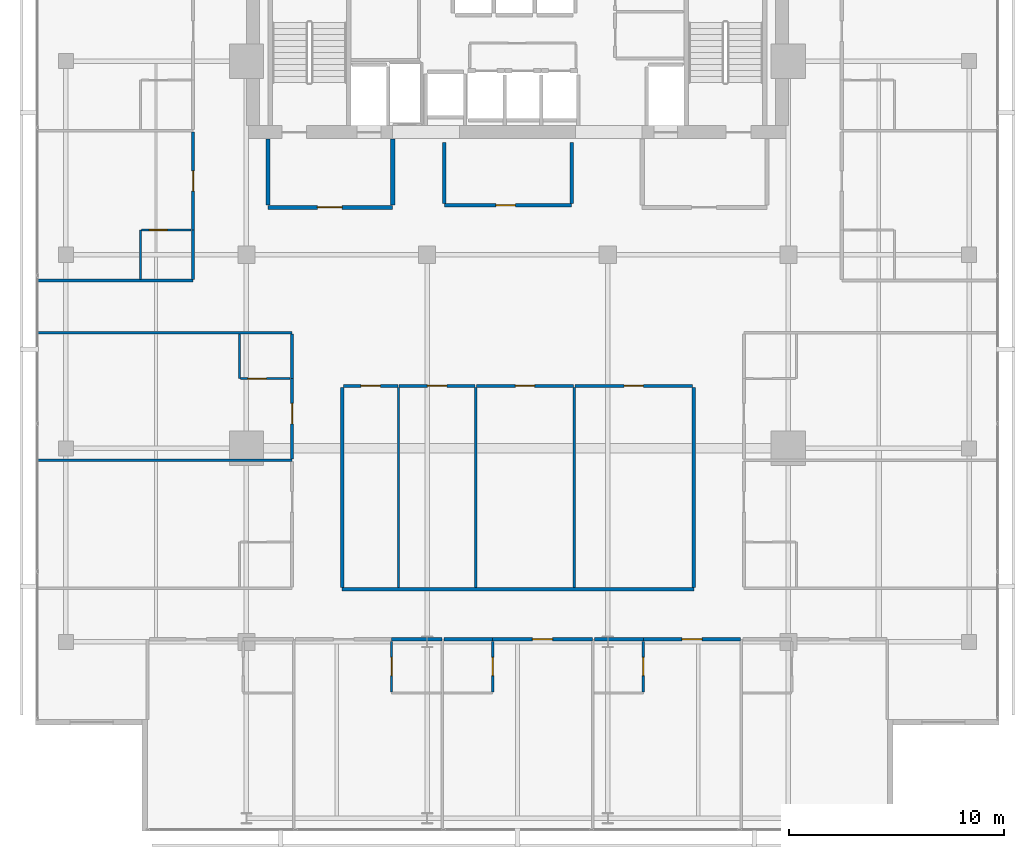
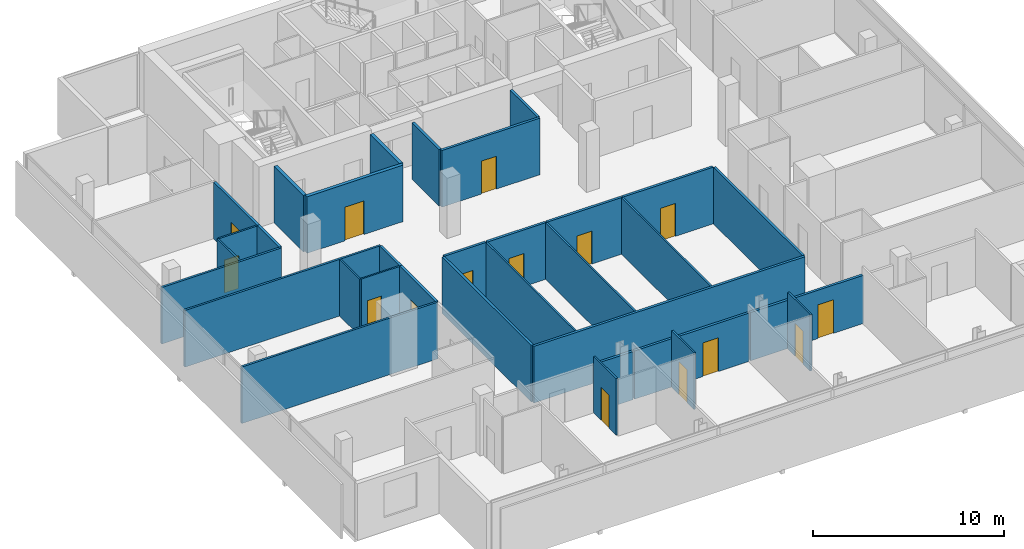
# One storey, part 20 of 25: 35 walls, 15 doors, 15 openings.
"""IFC4 building model written with IfcOpenShell, lengths in metres."""

from ifc_helpers import new_model, si_unit, direction, frame, frame_2d, origin, place, context, subcontext, project, spatial, rectangle, extrude, material, layer, layer_set, type_object, element, fill, save


model = new_model("IFC4")

# Units and contexts
model_context = context("Model", 3, precision=1e-05, world=origin(), true_north=direction((0.0, 1.0)))
body_context = subcontext(model_context, "Body", "Model", "MODEL_VIEW")
ifc_project = project(units=[si_unit("LENGTHUNIT", "METRE"), si_unit("AREAUNIT", "SQUARE_METRE"), si_unit("VOLUMEUNIT", "CUBIC_METRE"), si_unit("PLANEANGLEUNIT", "RADIAN"), si_unit("MASSUNIT", "GRAM", prefix="KILO")], contexts=[model_context])

# Site, building, storey
site_placement = place(None, origin())
site = spatial("IfcSite", under=ifc_project, at=site_placement, CompositionType="ELEMENT")
building_placement = place(site_placement, origin())
building = spatial("IfcBuilding", under=site, at=building_placement, Name="Maruvema Waterfront Hotel and Observation Tower", CompositionType="ELEMENT")
storey_placement = place(building_placement, frame((0.0, 0.0, 270.199951171875)))
storey = spatial("IfcBuildingStorey", under=building, at=storey_placement, Name="L66", CompositionType="ELEMENT", Elevation=270.199951171875)

# Wall, opening, door
ifc_material_1 = material(Name="Twin-stud acoustic gypsum drywall", Category="gypsum")
ifc_layer_1 = layer(ifc_material_1, 0.14990234375, Name="Acoustic Corridor and Suite Demising Wall 150 mm")
ifc_layer_set_1 = layer_set([ifc_layer_1], Name="Twin-stud acoustic gypsum drywall")
wall_type_1 = type_object("IfcWallType", Name="Acoustic Corridor and Suite Demising Wall 150 mm", PredefinedType="PARTITIONING", material=ifc_layer_set_1)
wall_1_placement = place(storey_placement, frame((34.39990234375, 38.300048828125, 0.0), z_axis=(0.0, 0.0, 1.0), x_axis=(1.0, 0.0, 0.0)))
wall_1 = element("IfcWall", 1, at=wall_1_placement, inside=storey, type_object=wall_type_1, Name="L66 Core Apron K0 South 022", PredefinedType="PARTITIONING", context=body_context, shape_type="SweptSolid", body=[
    extrude(rectangle(XDim=5.920166015625, YDim=0.14990234375, at=frame_2d((2.9599609375, 0.0))), origin(), (0.0, 0.0, 1.0), 3.610107421875),
])
opening_1_placement = place(wall_1_placement, frame((2.39990234375, 0.0, 0.0)))
opening_1 = element("IfcOpeningElement", 2, at=opening_1_placement, cuts=wall_1, Name="Opening DR-090", PredefinedType="OPENING", context=body_context, shape_type="SweptSolid", body=[
    extrude(rectangle(XDim=0.89990234375, YDim=2.10009765625, at=frame_2d((0.449951171875, 1.050048828125))), frame((0.0, 0.0849609375, 0.0), z_axis=(0.0, -1.0, 0.0), x_axis=(1.0, 0.0, 0.0)), (0.0, 0.0, 1.0), 0.169921875),
])
ifc_material_2 = material(Name="Solid-core lacquered timber leaf", Category="wood")
door_type_1 = type_object("IfcDoorType", Name="Accessible Toilet and Room Door 900x2100 mm", OperationType="NOTDEFINED", PredefinedType="DOOR", material=ifc_material_2)
door_1_placement = place(opening_1_placement, frame((0.89990234375, 0.0, 0.0), z_axis=(0.0, 0.0, 1.0), x_axis=(-1.0, 0.0, 0.0)))
door_1 = element("IfcDoor", 3, at=door_1_placement, inside=storey, type_object=door_type_1, Name="L66 Core Valet Room Door", OperationType="SINGLE_SWING_LEFT", OverallHeight=2.10009765625, OverallWidth=0.89990234375, PredefinedType="DOOR", context=body_context, shape_type="SweptSolid", body=[
    extrude(rectangle(XDim=0.89990234375, YDim=2.10009765625, at=frame_2d((0.449951171875, 1.050048828125))), frame((0.0, 0.02490234375, 0.0), z_axis=(0.0, -1.0, 0.0), x_axis=(1.0, 0.0, 0.0)), (0.0, 0.0, 1.0), 0.050048828125),
])
fill(opening_1, door_1)

# Walls
for number, where, z_axis, x_axis, name in (
    (4, (34.39990234375, 38.3798828125, 0.0), (0.0, 0.0, 1.0), (0.0, 1.0, 0.0), "L66 Core Apron K0 West 023"),
    (5, (40.320068359375, 38.3798828125, 0.0), (0.0, 0.0, 1.0), (0.0, 1.0, 0.0), "L66 Core Apron K0 East 024"),
):
    element("IfcWall", number, at=place(storey_placement, frame(where, z_axis=z_axis, x_axis=x_axis)), inside=storey, type_object=wall_type_1, Name=name, PredefinedType="PARTITIONING", context=body_context, shape_type="SweptSolid", body=[
        extrude(rectangle(XDim=2.840087890625, YDim=0.14990234375, at=frame_2d((1.419921875, 0.0))), origin(), (0.0, 0.0, 1.0), 3.610107421875),
    ])
wall_2_placement = place(storey_placement, frame((29.64990234375, 20.449951171875, 0.0), z_axis=(0.0, 0.0, 1.0), x_axis=(1.0, 0.0, 0.0)))
element("IfcWall", 6, at=wall_2_placement, inside=storey, type_object=wall_type_1, Name="L66 L66-Z3M Back Wall 025", PredefinedType="PARTITIONING", context=body_context, shape_type="SweptSolid", body=[
    extrude(rectangle(XDim=16.35009765625, YDim=0.14990234375, at=frame_2d((8.175048828125, 0.0))), origin(), (0.0, 0.0, 1.0), 3.610107421875),
])
for number, where, z_axis, x_axis, name in (
    (7, (29.64990234375, 20.530029296875, 0.0), (0.0, 0.0, 1.0), (0.0, 1.0, 0.0), "L66 L66-Z3M West Wall 026"),
    (8, (46.0, 20.530029296875, 0.0), (0.0, 0.0, 1.0), (0.0, 1.0, 0.0), "L66 L66-Z3M East Wall 027"),
):
    element("IfcWall", number, at=place(storey_placement, frame(where, z_axis=z_axis, x_axis=x_axis)), inside=storey, type_object=wall_type_1, Name=name, PredefinedType="PARTITIONING", context=body_context, shape_type="SweptSolid", body=[
        extrude(rectangle(XDim=9.2900390625, YDim=0.14990234375, at=frame_2d((4.64501953125, 0.0))), origin(), (0.0, 0.0, 1.0), 3.610107421875),
    ])

# Wall, opening, door
wall_3_placement = place(storey_placement, frame((29.7099609375, 29.89990234375, 0.0), z_axis=(0.0, 0.0, 1.0), x_axis=(1.0, 0.0, 0.0)))
wall_3 = element("IfcWall", 9, at=wall_3_placement, inside=storey, type_object=wall_type_1, Name="L66 L66-Z3M Front 1 028", PredefinedType="PARTITIONING", context=body_context, shape_type="SweptSolid", body=[
    extrude(rectangle(XDim=2.526123046875, YDim=0.14990234375, at=frame_2d((1.26318359375, 0.0))), origin(), (0.0, 0.0, 1.0), 3.610107421875),
])
opening_2_placement = place(wall_3_placement, frame((0.81298828125, 0.0, 0.0)))
opening_2 = element("IfcOpeningElement", 10, at=opening_2_placement, cuts=wall_3, Name="Opening DR-090", PredefinedType="OPENING", context=body_context, shape_type="SweptSolid", body=[
    extrude(rectangle(XDim=0.89990234375, YDim=2.10009765625, at=frame_2d((0.449951171875, 1.050048828125))), frame((0.0, 0.0849609375, 0.0), z_axis=(0.0, -1.0, 0.0), x_axis=(1.0, 0.0, 0.0)), (0.0, 0.0, 1.0), 0.169921875),
])
door_2_placement = place(opening_2_placement, origin())
door_2 = element("IfcDoor", 11, at=door_2_placement, inside=storey, type_object=door_type_1, Name="L66 Meeting Salon 1 Door", OperationType="SINGLE_SWING_RIGHT", OverallHeight=2.10009765625, OverallWidth=0.89990234375, PredefinedType="DOOR", context=body_context, shape_type="SweptSolid", body=[
    extrude(rectangle(XDim=0.89990234375, YDim=2.10009765625, at=frame_2d((0.449951171875, 1.050048828125))), frame((0.0, 0.02490234375, 0.0), z_axis=(0.0, -1.0, 0.0), x_axis=(1.0, 0.0, 0.0)), (0.0, 0.0, 1.0), 0.050048828125),
])
fill(opening_2, door_2)

wall_4_placement = place(storey_placement, frame((32.2958984375, 29.89990234375, 0.0), z_axis=(0.0, 0.0, 1.0), x_axis=(1.0, 0.0, 0.0)))
wall_4 = element("IfcWall", 12, at=wall_4_placement, inside=storey, type_object=wall_type_1, Name="L66 L66-Z3M Front 2 030", PredefinedType="PARTITIONING", context=body_context, shape_type="SweptSolid", body=[
    extrude(rectangle(XDim=3.537109375, YDim=0.14990234375, at=frame_2d((1.7685546875, 0.0))), origin(), (0.0, 0.0, 1.0), 3.610107421875),
])
opening_3_placement = place(wall_4_placement, frame((1.318603515625, 0.0, 0.0)))
opening_3 = element("IfcOpeningElement", 13, at=opening_3_placement, cuts=wall_4, Name="Opening DR-090", PredefinedType="OPENING", context=body_context, shape_type="SweptSolid", body=[
    extrude(rectangle(XDim=0.89990234375, YDim=2.10009765625, at=frame_2d((0.449951171875, 1.050048828125))), frame((0.0, 0.0849609375, 0.0), z_axis=(0.0, -1.0, 0.0), x_axis=(1.0, 0.0, 0.0)), (0.0, 0.0, 1.0), 0.169921875),
])
door_3_placement = place(opening_3_placement, origin())
door_3 = element("IfcDoor", 14, at=door_3_placement, inside=storey, type_object=door_type_1, Name="L66 Meeting Salon 2 Door", OperationType="SINGLE_SWING_LEFT", OverallHeight=2.10009765625, OverallWidth=0.89990234375, PredefinedType="DOOR", context=body_context, shape_type="SweptSolid", body=[
    extrude(rectangle(XDim=0.89990234375, YDim=2.10009765625, at=frame_2d((0.449951171875, 1.050048828125))), frame((0.0, 0.02490234375, 0.0), z_axis=(0.0, -1.0, 0.0), x_axis=(1.0, 0.0, 0.0)), (0.0, 0.0, 1.0), 0.050048828125),
])
fill(opening_3, door_3)

wall_5_placement = place(storey_placement, frame((35.89306640625, 29.89990234375, 0.0), z_axis=(0.0, 0.0, 1.0), x_axis=(1.0, 0.0, 0.0)))
wall_5 = element("IfcWall", 15, at=wall_5_placement, inside=storey, type_object=wall_type_1, Name="L66 L66-Z3M Front 3 032", PredefinedType="PARTITIONING", context=body_context, shape_type="SweptSolid", body=[
    extrude(rectangle(XDim=4.517822265625, YDim=0.14990234375, at=frame_2d((2.2587890625, 0.0))), origin(), (0.0, 0.0, 1.0), 3.610107421875),
])
opening_4_placement = place(wall_5_placement, frame((1.80908203125, 0.0, 0.0)))
opening_4 = element("IfcOpeningElement", 16, at=opening_4_placement, cuts=wall_5, Name="Opening DR-090", PredefinedType="OPENING", context=body_context, shape_type="SweptSolid", body=[
    extrude(rectangle(XDim=0.89990234375, YDim=2.10009765625, at=frame_2d((0.449951171875, 1.050048828125))), frame((0.0, 0.0849609375, 0.0), z_axis=(0.0, -1.0, 0.0), x_axis=(1.0, 0.0, 0.0)), (0.0, 0.0, 1.0), 0.169921875),
])
door_4_placement = place(opening_4_placement, origin())
door_4 = element("IfcDoor", 17, at=door_4_placement, inside=storey, type_object=door_type_1, Name="L66 Meeting Salon 3 Door", OperationType="SINGLE_SWING_RIGHT", OverallHeight=2.10009765625, OverallWidth=0.89990234375, PredefinedType="DOOR", context=body_context, shape_type="SweptSolid", body=[
    extrude(rectangle(XDim=0.89990234375, YDim=2.10009765625, at=frame_2d((0.449951171875, 1.050048828125))), frame((0.0, 0.02490234375, 0.0), z_axis=(0.0, -1.0, 0.0), x_axis=(1.0, 0.0, 0.0)), (0.0, 0.0, 1.0), 0.050048828125),
])
fill(opening_4, door_4)

wall_6_placement = place(storey_placement, frame((40.470947265625, 29.89990234375, 0.0), z_axis=(0.0, 0.0, 1.0), x_axis=(1.0, 0.0, 0.0)))
wall_6 = element("IfcWall", 18, at=wall_6_placement, inside=storey, type_object=wall_type_1, Name="L66 L66-Z3M Front 4 034", PredefinedType="PARTITIONING", context=body_context, shape_type="SweptSolid", body=[
    extrude(rectangle(XDim=5.468994140625, YDim=0.14990234375, at=frame_2d((2.734375, 0.0))), origin(), (0.0, 0.0, 1.0), 3.610107421875),
])
opening_5_placement = place(wall_6_placement, frame((2.284423828125, 0.0, 0.0)))
opening_5 = element("IfcOpeningElement", 19, at=opening_5_placement, cuts=wall_6, Name="Opening DR-090", PredefinedType="OPENING", context=body_context, shape_type="SweptSolid", body=[
    extrude(rectangle(XDim=0.89990234375, YDim=2.10009765625, at=frame_2d((0.449951171875, 1.050048828125))), frame((0.0, 0.0849609375, 0.0), z_axis=(0.0, -1.0, 0.0), x_axis=(1.0, 0.0, 0.0)), (0.0, 0.0, 1.0), 0.169921875),
])
door_5_placement = place(opening_5_placement, origin())
door_5 = element("IfcDoor", 20, at=door_5_placement, inside=storey, type_object=door_type_1, Name="L66 Tea Kitchenette Door", OperationType="SINGLE_SWING_LEFT", OverallHeight=2.10009765625, OverallWidth=0.89990234375, PredefinedType="DOOR", context=body_context, shape_type="SweptSolid", body=[
    extrude(rectangle(XDim=0.89990234375, YDim=2.10009765625, at=frame_2d((0.449951171875, 1.050048828125))), frame((0.0, 0.02490234375, 0.0), z_axis=(0.0, -1.0, 0.0), x_axis=(1.0, 0.0, 0.0)), (0.0, 0.0, 1.0), 0.050048828125),
])
fill(opening_5, door_5)

# Walls
wall_7_placement = place(storey_placement, frame((31.949951171875, 18.1201171875, 0.0), z_axis=(0.0, 0.0, 1.0), x_axis=(1.0, 0.0, 0.0)))
element("IfcWall", 21, at=wall_7_placement, inside=storey, type_object=wall_type_1, Name="L66 Bath L66-S2 Back Wall 042", PredefinedType="PARTITIONING", context=body_context, shape_type="SweptSolid", body=[
    extrude(rectangle(XDim=2.330078125, YDim=0.14990234375, at=frame_2d((1.1650390625, 0.0))), origin(), (0.0, 0.0, 1.0), 3.0771484375),
])
wall_8_placement = place(storey_placement, frame((34.3798828125, 18.1201171875, 0.0), z_axis=(0.0, 0.0, 1.0), x_axis=(1.0, 0.0, 0.0)))
element("IfcWall", 22, at=wall_8_placement, inside=storey, type_object=wall_type_1, Name="L66 Bath L66-S3 Back Wall 047", PredefinedType="PARTITIONING", context=body_context, shape_type="SweptSolid", body=[
    extrude(rectangle(XDim=2.27001953125, YDim=0.14990234375, at=frame_2d((1.135009765625, 0.0))), origin(), (0.0, 0.0, 1.0), 3.0771484375),
])

# Wall, opening, door
wall_9_placement = place(storey_placement, frame((36.64990234375, 18.1201171875, 0.0), z_axis=(0.0, 0.0, 1.0), x_axis=(1.0, 0.0, 0.0)))
wall_9 = element("IfcWall", 23, at=wall_9_placement, inside=storey, type_object=wall_type_1, Name="L66 Unit L66-S3 Corridor Wall 050", PredefinedType="PARTITIONING", context=body_context, shape_type="SweptSolid", body=[
    extrude(rectangle(XDim=4.630126953125, YDim=0.14990234375, at=frame_2d((2.31494140625, 0.0))), origin(), (0.0, 0.0, 1.0), 3.0771484375),
])
opening_6_placement = place(wall_9_placement, frame((1.840087890625, 0.0, 0.0)))
opening_6 = element("IfcOpeningElement", 24, at=opening_6_placement, cuts=wall_9, Name="Opening DR-095", PredefinedType="OPENING", context=body_context, shape_type="SweptSolid", body=[
    extrude(rectangle(XDim=0.949951171875, YDim=2.14990234375, at=frame_2d((0.47509765625, 1.074951171875))), frame((0.0, 0.0849609375, 0.0), z_axis=(0.0, -1.0, 0.0), x_axis=(1.0, 0.0, 0.0)), (0.0, 0.0, 1.0), 0.169921875),
])
ifc_material_3 = material(Name="Acoustic solid-core hardwood timber leaf", Category="wood")
door_type_2 = type_object("IfcDoorType", Name="Guestroom Entrance Fire Door 950x2150 mm", OperationType="NOTDEFINED", PredefinedType="DOOR", material=ifc_material_3)
door_6_placement = place(opening_6_placement, frame((0.949951171875, 0.0, 0.0), z_axis=(0.0, 0.0, 1.0), x_axis=(-1.0, 0.0, 0.0)))
door_6 = element("IfcDoor", 25, at=door_6_placement, inside=storey, type_object=door_type_2, Name="L66 Unit L66-S3 Entrance Door", OperationType="SINGLE_SWING_LEFT", OverallHeight=2.14990234375, OverallWidth=0.949951171875, PredefinedType="DOOR", context=body_context, shape_type="SweptSolid", body=[
    extrude(rectangle(XDim=0.949951171875, YDim=2.14990234375, at=frame_2d((0.47509765625, 1.074951171875))), frame((0.0, 0.02490234375, 0.0), z_axis=(0.0, -1.0, 0.0), x_axis=(1.0, 0.0, 0.0)), (0.0, 0.0, 1.0), 0.050048828125),
])
fill(opening_6, door_6)

# Wall
wall_10_placement = place(storey_placement, frame((41.3798828125, 18.1201171875, 0.0), z_axis=(0.0, 0.0, 1.0), x_axis=(1.0, 0.0, 0.0)))
element("IfcWall", 26, at=wall_10_placement, inside=storey, type_object=wall_type_1, Name="L66 Bath L66-S4 Back Wall 052", PredefinedType="PARTITIONING", context=body_context, shape_type="SweptSolid", body=[
    extrude(rectangle(XDim=2.27001953125, YDim=0.14990234375, at=frame_2d((1.135009765625, 0.0))), origin(), (0.0, 0.0, 1.0), 3.0771484375),
])

# Wall, opening, door
wall_11_placement = place(storey_placement, frame((43.64990234375, 18.1201171875, 0.0), z_axis=(0.0, 0.0, 1.0), x_axis=(1.0, 0.0, 0.0)))
wall_11 = element("IfcWall", 27, at=wall_11_placement, inside=storey, type_object=wall_type_1, Name="L66 Unit L66-S4 Corridor Wall 055", PredefinedType="PARTITIONING", context=body_context, shape_type="SweptSolid", body=[
    extrude(rectangle(XDim=4.530029296875, YDim=0.14990234375, at=frame_2d((2.26513671875, 0.0))), origin(), (0.0, 0.0, 1.0), 3.0771484375),
])
opening_7_placement = place(wall_11_placement, frame((1.7900390625, 0.0, 0.0)))
opening_7 = element("IfcOpeningElement", 28, at=opening_7_placement, cuts=wall_11, Name="Opening DR-095", PredefinedType="OPENING", context=body_context, shape_type="SweptSolid", body=[
    extrude(rectangle(XDim=0.949951171875, YDim=2.14990234375, at=frame_2d((0.47509765625, 1.074951171875))), frame((0.0, 0.0849609375, 0.0), z_axis=(0.0, -1.0, 0.0), x_axis=(1.0, 0.0, 0.0)), (0.0, 0.0, 1.0), 0.169921875),
])
door_7_placement = place(opening_7_placement, frame((0.949951171875, 0.0, 0.0), z_axis=(0.0, 0.0, 1.0), x_axis=(-1.0, 0.0, 0.0)))
door_7 = element("IfcDoor", 29, at=door_7_placement, inside=storey, type_object=door_type_2, Name="L66 Unit L66-S4 Entrance Door", OperationType="SINGLE_SWING_LEFT", OverallHeight=2.14990234375, OverallWidth=0.949951171875, PredefinedType="DOOR", context=body_context, shape_type="SweptSolid", body=[
    extrude(rectangle(XDim=0.949951171875, YDim=2.14990234375, at=frame_2d((0.47509765625, 1.074951171875))), frame((0.0, 0.02490234375, 0.0), z_axis=(0.0, -1.0, 0.0), x_axis=(1.0, 0.0, 0.0)), (0.0, 0.0, 1.0), 0.050048828125),
])
fill(opening_7, door_7)

wall_12_placement = place(storey_placement, frame((27.320068359375, 26.5, 0.0), z_axis=(0.0, 0.0, 1.0), x_axis=(0.0, 1.0, 0.0)))
wall_12 = element("IfcWall", 30, at=wall_12_placement, inside=storey, type_object=wall_type_1, Name="L66 Room L66-W2 Corridor Wall 075", PredefinedType="PARTITIONING", context=body_context, shape_type="SweptSolid", body=[
    extrude(rectangle(XDim=3.739990234375, YDim=0.14990234375, at=frame_2d((1.8701171875, 0.0))), origin(), (0.0, 0.0, 1.0), 3.610107421875),
])
opening_8_placement = place(wall_12_placement, frame((1.635009765625, 0.0, 0.0)))
opening_8 = element("IfcOpeningElement", 31, at=opening_8_placement, cuts=wall_12, Name="Opening DR-095", PredefinedType="OPENING", context=body_context, shape_type="SweptSolid", body=[
    extrude(rectangle(XDim=0.949951171875, YDim=2.14990234375, at=frame_2d((0.47509765625, 1.074951171875))), frame((0.0, 0.0849609375, 0.0), z_axis=(0.0, -1.0, 0.0), x_axis=(1.0, 0.0, 0.0)), (0.0, 0.0, 1.0), 0.169921875),
])
door_8_placement = place(opening_8_placement, origin())
door_8 = element("IfcDoor", 32, at=door_8_placement, inside=storey, type_object=door_type_2, Name="L66 Room L66-W2 Entrance Door", OperationType="SINGLE_SWING_LEFT", OverallHeight=2.14990234375, OverallWidth=0.949951171875, PredefinedType="DOOR", context=body_context, shape_type="SweptSolid", body=[
    extrude(rectangle(XDim=0.949951171875, YDim=2.14990234375, at=frame_2d((0.47509765625, 1.074951171875))), frame((0.0, 0.02490234375, 0.0), z_axis=(0.0, -1.0, 0.0), x_axis=(1.0, 0.0, 0.0)), (0.0, 0.0, 1.0), 0.050048828125),
])
fill(opening_8, door_8)

# Walls
wall_13_placement = place(storey_placement, frame((27.320068359375, 30.239990234375, 0.0), z_axis=(0.0, 0.0, 1.0), x_axis=(0.0, 1.0, 0.0)))
element("IfcWall", 33, at=wall_13_placement, inside=storey, type_object=wall_type_1, Name="L66 Bath L66-W2 Wall 076", PredefinedType="PARTITIONING", context=body_context, shape_type="SweptSolid", body=[
    extrude(rectangle(XDim=2.080078125, YDim=0.14990234375, at=frame_2d((1.0400390625, 0.0))), origin(), (0.0, 0.0, 1.0), 3.610107421875),
])
wall_14_placement = place(storey_placement, frame((22.719970703125, 34.860107421875, 0.0), z_axis=(0.0, 0.0, 1.0), x_axis=(0.0, 1.0, 0.0)))
element("IfcWall", 34, at=wall_14_placement, inside=storey, type_object=wall_type_1, Name="L66 Bath L66-NW1 Wall 087", PredefinedType="PARTITIONING", context=body_context, shape_type="SweptSolid", body=[
    extrude(rectangle(XDim=2.289794921875, YDim=0.14990234375, at=frame_2d((1.14501953125, 0.0))), origin(), (0.0, 0.0, 1.0), 3.610107421875),
])

# Wall, opening, door
wall_15_placement = place(storey_placement, frame((22.719970703125, 37.14990234375, 0.0), z_axis=(0.0, 0.0, 1.0), x_axis=(0.0, 1.0, 0.0)))
wall_15 = element("IfcWall", 35, at=wall_15_placement, inside=storey, type_object=wall_type_1, Name="L66 Room L66-NW1 Corridor Wall 088", PredefinedType="PARTITIONING", context=body_context, shape_type="SweptSolid", body=[
    extrude(rectangle(XDim=4.558837890625, YDim=0.14990234375, at=frame_2d((2.279296875, 0.0))), origin(), (0.0, 0.0, 1.0), 3.610107421875),
])
opening_9_placement = place(wall_15_placement, frame((1.804443359375, 0.0, 0.0)))
opening_9 = element("IfcOpeningElement", 36, at=opening_9_placement, cuts=wall_15, Name="Opening DR-095", PredefinedType="OPENING", context=body_context, shape_type="SweptSolid", body=[
    extrude(rectangle(XDim=0.949951171875, YDim=2.14990234375, at=frame_2d((0.47509765625, 1.074951171875))), frame((0.0, 0.0849609375, 0.0), z_axis=(0.0, -1.0, 0.0), x_axis=(1.0, 0.0, 0.0)), (0.0, 0.0, 1.0), 0.169921875),
])
door_9_placement = place(opening_9_placement, origin())
door_9 = element("IfcDoor", 37, at=door_9_placement, inside=storey, type_object=door_type_2, Name="L66 Room L66-NW1 Entrance Door", OperationType="SINGLE_SWING_LEFT", OverallHeight=2.14990234375, OverallWidth=0.949951171875, PredefinedType="DOOR", context=body_context, shape_type="SweptSolid", body=[
    extrude(rectangle(XDim=0.949951171875, YDim=2.14990234375, at=frame_2d((0.47509765625, 1.074951171875))), frame((0.0, 0.02490234375, 0.0), z_axis=(0.0, -1.0, 0.0), x_axis=(1.0, 0.0, 0.0)), (0.0, 0.0, 1.0), 0.050048828125),
])
fill(opening_9, door_9)

# Walls
ifc_material_4 = material(Name="Moisture-resistant cement-board drywall", Category="gypsum")
ifc_layer_2 = layer(ifc_material_4, 0.10009765625, Name="En-Suite Moisture-Resistant Partition 100 mm")
ifc_layer_set_2 = layer_set([ifc_layer_2], Name="Moisture-resistant cement-board drywall")
wall_type_2 = type_object("IfcWallType", Name="En-Suite Moisture-Resistant Partition 100 mm", PredefinedType="PARTITIONING", material=ifc_layer_set_2)
for number, where, z_axis, x_axis, name in (
    (38, (32.26611328125, 20.530029296875, 0.0), (0.0, 0.0, 1.0), (0.0, 1.0, 0.0), "L66 L66-Z3M Split 1 029"),
    (39, (35.863037109375, 20.530029296875, 0.0), (0.0, 0.0, 1.0), (0.0, 1.0, 0.0), "L66 L66-Z3M Split 2 031"),
    (40, (40.44091796875, 20.530029296875, 0.0), (0.0, 0.0, 1.0), (0.0, 1.0, 0.0), "L66 L66-Z3M Split 3 033"),
):
    element("IfcWall", number, at=place(storey_placement, frame(where, z_axis=z_axis, x_axis=x_axis)), inside=storey, type_object=wall_type_2, Name=name, PredefinedType="PARTITIONING", context=body_context, shape_type="SweptSolid", body=[
        extrude(rectangle(XDim=9.2900390625, YDim=0.10009765625, at=frame_2d((4.64501953125, 0.0))), origin(), (0.0, 0.0, 1.0), 3.610107421875),
    ])

# Wall, opening, door
wall_16_placement = place(storey_placement, frame((31.949951171875, 15.679931640625, 0.0), z_axis=(0.0, 0.0, 1.0), x_axis=(0.0, 1.0, 0.0)))
wall_16 = element("IfcWall", 41, at=wall_16_placement, inside=storey, type_object=wall_type_2, Name="L66 En-Suite L66-S2 West 044", PredefinedType="PARTITIONING", context=body_context, shape_type="SweptSolid", body=[
    extrude(rectangle(XDim=2.340087890625, YDim=0.10009765625, at=frame_2d((1.169921875, 0.0))), origin(), (0.0, 0.0, 1.0), 3.610107421875),
])
opening_10_placement = place(wall_16_placement, frame((0.7451171875, 0.0, 0.0)))
opening_10 = element("IfcOpeningElement", 42, at=opening_10_placement, cuts=wall_16, Name="Opening DR-085", PredefinedType="OPENING", context=body_context, shape_type="SweptSolid", body=[
    extrude(rectangle(XDim=0.85009765625, YDim=2.10009765625, at=frame_2d((0.425048828125, 1.050048828125))), frame((0.0, 0.06005859375, 0.0), z_axis=(0.0, -1.0, 0.0), x_axis=(1.0, 0.0, 0.0)), (0.0, 0.0, 1.0), 0.1201171875),
])
ifc_material_5 = material(Name="Moisture-resistant solid timber leaf", Category="wood")
door_type_3 = type_object("IfcDoorType", Name="En-Suite Bathroom Door 850x2100 mm", OperationType="NOTDEFINED", PredefinedType="DOOR", material=ifc_material_5)
door_10_placement = place(opening_10_placement, origin())
door_10 = element("IfcDoor", 43, at=door_10_placement, inside=storey, type_object=door_type_3, Name="L66 En-Suite L66-S2 Door", OperationType="SINGLE_SWING_RIGHT", OverallHeight=2.10009765625, OverallWidth=0.85009765625, PredefinedType="DOOR", context=body_context, shape_type="SweptSolid", body=[
    extrude(rectangle(XDim=0.85009765625, YDim=2.10009765625, at=frame_2d((0.425048828125, 1.050048828125))), frame((0.0, 0.02490234375, 0.0), z_axis=(0.0, -1.0, 0.0), x_axis=(1.0, 0.0, 0.0)), (0.0, 0.0, 1.0), 0.050048828125),
])
fill(opening_10, door_10)

wall_17_placement = place(storey_placement, frame((36.64990234375, 15.679931640625, 0.0), z_axis=(0.0, 0.0, 1.0), x_axis=(0.0, 1.0, 0.0)))
wall_17 = element("IfcWall", 44, at=wall_17_placement, inside=storey, type_object=wall_type_2, Name="L66 En-Suite L66-S3 East 049", PredefinedType="PARTITIONING", context=body_context, shape_type="SweptSolid", body=[
    extrude(rectangle(XDim=2.340087890625, YDim=0.10009765625, at=frame_2d((1.169921875, 0.0))), origin(), (0.0, 0.0, 1.0), 3.610107421875),
])
opening_11_placement = place(wall_17_placement, frame((0.7451171875, 0.0, 0.0)))
opening_11 = element("IfcOpeningElement", 45, at=opening_11_placement, cuts=wall_17, Name="Opening DR-085", PredefinedType="OPENING", context=body_context, shape_type="SweptSolid", body=[
    extrude(rectangle(XDim=0.85009765625, YDim=2.10009765625, at=frame_2d((0.425048828125, 1.050048828125))), frame((0.0, 0.06005859375, 0.0), z_axis=(0.0, -1.0, 0.0), x_axis=(1.0, 0.0, 0.0)), (0.0, 0.0, 1.0), 0.1201171875),
])
door_11_placement = place(opening_11_placement, frame((0.85009765625, 0.0, 0.0), z_axis=(0.0, 0.0, 1.0), x_axis=(-1.0, 0.0, 0.0)))
door_11 = element("IfcDoor", 46, at=door_11_placement, inside=storey, type_object=door_type_3, Name="L66 En-Suite L66-S3 Door", OperationType="SINGLE_SWING_RIGHT", OverallHeight=2.10009765625, OverallWidth=0.85009765625, PredefinedType="DOOR", context=body_context, shape_type="SweptSolid", body=[
    extrude(rectangle(XDim=0.85009765625, YDim=2.10009765625, at=frame_2d((0.425048828125, 1.050048828125))), frame((0.0, 0.02490234375, 0.0), z_axis=(0.0, -1.0, 0.0), x_axis=(1.0, 0.0, 0.0)), (0.0, 0.0, 1.0), 0.050048828125),
])
fill(opening_11, door_11)

wall_18_placement = place(storey_placement, frame((43.64990234375, 15.679931640625, 0.0), z_axis=(0.0, 0.0, 1.0), x_axis=(0.0, 1.0, 0.0)))
wall_18 = element("IfcWall", 47, at=wall_18_placement, inside=storey, type_object=wall_type_2, Name="L66 En-Suite L66-S4 East 054", PredefinedType="PARTITIONING", context=body_context, shape_type="SweptSolid", body=[
    extrude(rectangle(XDim=2.340087890625, YDim=0.10009765625, at=frame_2d((1.169921875, 0.0))), origin(), (0.0, 0.0, 1.0), 3.610107421875),
])
opening_12_placement = place(wall_18_placement, frame((0.7451171875, 0.0, 0.0)))
opening_12 = element("IfcOpeningElement", 48, at=opening_12_placement, cuts=wall_18, Name="Opening DR-085", PredefinedType="OPENING", context=body_context, shape_type="SweptSolid", body=[
    extrude(rectangle(XDim=0.85009765625, YDim=2.10009765625, at=frame_2d((0.425048828125, 1.050048828125))), frame((0.0, 0.06005859375, 0.0), z_axis=(0.0, -1.0, 0.0), x_axis=(1.0, 0.0, 0.0)), (0.0, 0.0, 1.0), 0.1201171875),
])
door_12_placement = place(opening_12_placement, frame((0.85009765625, 0.0, 0.0), z_axis=(0.0, 0.0, 1.0), x_axis=(-1.0, 0.0, 0.0)))
door_12 = element("IfcDoor", 49, at=door_12_placement, inside=storey, type_object=door_type_3, Name="L66 En-Suite L66-S4 Door", OperationType="SINGLE_SWING_RIGHT", OverallHeight=2.10009765625, OverallWidth=0.85009765625, PredefinedType="DOOR", context=body_context, shape_type="SweptSolid", body=[
    extrude(rectangle(XDim=0.85009765625, YDim=2.10009765625, at=frame_2d((0.425048828125, 1.050048828125))), frame((0.0, 0.02490234375, 0.0), z_axis=(0.0, -1.0, 0.0), x_axis=(1.0, 0.0, 0.0)), (0.0, 0.0, 1.0), 0.050048828125),
])
fill(opening_12, door_12)

# Wall
wall_19_placement = place(storey_placement, frame((24.8701171875, 30.239990234375, 0.0), z_axis=(0.0, 0.0, 1.0), x_axis=(0.0, 1.0, 0.0)))
element("IfcWall", 50, at=wall_19_placement, inside=storey, type_object=wall_type_2, Name="L66 En-Suite L66-W2 W 077", PredefinedType="PARTITIONING", context=body_context, shape_type="SweptSolid", body=[
    extrude(rectangle(XDim=2.080078125, YDim=0.10009765625, at=frame_2d((1.0400390625, 0.0))), origin(), (0.0, 0.0, 1.0), 3.610107421875),
])

# Wall, opening, door
wall_20_placement = place(storey_placement, frame((24.919921875, 30.239990234375, 0.0), z_axis=(0.0, 0.0, 1.0), x_axis=(1.0, 0.0, 0.0)))
wall_20 = element("IfcWall", 51, at=wall_20_placement, inside=storey, type_object=wall_type_2, Name="L66 En-Suite L66-W2 S 078", PredefinedType="PARTITIONING", context=body_context, shape_type="SweptSolid", body=[
    extrude(rectangle(XDim=2.300048828125, YDim=0.10009765625, at=frame_2d((1.14990234375, 0.0))), origin(), (0.0, 0.0, 1.0), 3.610107421875),
])
opening_13_placement = place(wall_20_placement, frame((0.35009765625, 0.0, 0.0)))
opening_13 = element("IfcOpeningElement", 52, at=opening_13_placement, cuts=wall_20, Name="Opening DR-085", PredefinedType="OPENING", context=body_context, shape_type="SweptSolid", body=[
    extrude(rectangle(XDim=0.85009765625, YDim=2.10009765625, at=frame_2d((0.425048828125, 1.050048828125))), frame((0.0, 0.06005859375, 0.0), z_axis=(0.0, -1.0, 0.0), x_axis=(1.0, 0.0, 0.0)), (0.0, 0.0, 1.0), 0.1201171875),
])
door_13_placement = place(opening_13_placement, frame((0.85009765625, 0.0, 0.0), z_axis=(0.0, 0.0, 1.0), x_axis=(-1.0, 0.0, 0.0)))
door_13 = element("IfcDoor", 53, at=door_13_placement, inside=storey, type_object=door_type_3, Name="L66 En-Suite L66-W2 Door", OperationType="SINGLE_SWING_RIGHT", OverallHeight=2.10009765625, OverallWidth=0.85009765625, PredefinedType="DOOR", context=body_context, shape_type="SweptSolid", body=[
    extrude(rectangle(XDim=0.85009765625, YDim=2.10009765625, at=frame_2d((0.425048828125, 1.050048828125))), frame((0.0, 0.02490234375, 0.0), z_axis=(0.0, -1.0, 0.0), x_axis=(1.0, 0.0, 0.0)), (0.0, 0.0, 1.0), 0.050048828125),
])
fill(opening_13, door_13)

# Wall
wall_21_placement = place(storey_placement, frame((20.27001953125, 34.860107421875, 0.0), z_axis=(0.0, 0.0, 1.0), x_axis=(0.0, 1.0, 0.0)))
element("IfcWall", 54, at=wall_21_placement, inside=storey, type_object=wall_type_2, Name="L66 En-Suite L66-NW1 W 089", PredefinedType="PARTITIONING", context=body_context, shape_type="SweptSolid", body=[
    extrude(rectangle(XDim=2.289794921875, YDim=0.10009765625, at=frame_2d((1.14501953125, 0.0))), origin(), (0.0, 0.0, 1.0), 3.610107421875),
])

# Wall, opening, door
wall_22_placement = place(storey_placement, frame((20.320068359375, 37.14990234375, 0.0), z_axis=(0.0, 0.0, 1.0), x_axis=(1.0, 0.0, 0.0)))
wall_22 = element("IfcWall", 55, at=wall_22_placement, inside=storey, type_object=wall_type_2, Name="L66 En-Suite L66-NW1 N 090", PredefinedType="PARTITIONING", context=body_context, shape_type="SweptSolid", body=[
    extrude(rectangle(XDim=2.300048828125, YDim=0.10009765625, at=frame_2d((1.14990234375, 0.0))), origin(), (0.0, 0.0, 1.0), 3.610107421875),
])
opening_14_placement = place(wall_22_placement, frame((0.35009765625, 0.0, 0.0)))
opening_14 = element("IfcOpeningElement", 56, at=opening_14_placement, cuts=wall_22, Name="Opening DR-085", PredefinedType="OPENING", context=body_context, shape_type="SweptSolid", body=[
    extrude(rectangle(XDim=0.85009765625, YDim=2.10009765625, at=frame_2d((0.425048828125, 1.050048828125))), frame((0.0, 0.06005859375, 0.0), z_axis=(0.0, -1.0, 0.0), x_axis=(1.0, 0.0, 0.0)), (0.0, 0.0, 1.0), 0.1201171875),
])
door_14_placement = place(opening_14_placement, origin())
door_14 = element("IfcDoor", 57, at=door_14_placement, inside=storey, type_object=door_type_3, Name="L66 En-Suite L66-NW1 Door", OperationType="SINGLE_SWING_RIGHT", OverallHeight=2.10009765625, OverallWidth=0.85009765625, PredefinedType="DOOR", context=body_context, shape_type="SweptSolid", body=[
    extrude(rectangle(XDim=0.85009765625, YDim=2.10009765625, at=frame_2d((0.425048828125, 1.050048828125))), frame((0.0, 0.02490234375, 0.0), z_axis=(0.0, -1.0, 0.0), x_axis=(1.0, 0.0, 0.0)), (0.0, 0.0, 1.0), 0.050048828125),
])
fill(opening_14, door_14)

ifc_material_6 = material(Name="Autoclaved cellular concrete blockwork", Category="masonry")
ifc_layer_3 = layer(ifc_material_6, 0.199951171875, Name="Fire Compartment Masonry Wall 200 mm")
ifc_layer_set_3 = layer_set([ifc_layer_3], Name="Autoclaved cellular concrete blockwork")
wall_type_3 = type_object("IfcWallType", Name="Fire Compartment Masonry Wall 200 mm", PredefinedType="PARTITIONING", material=ifc_layer_set_3)
wall_23_placement = place(storey_placement, frame((26.199951171875, 38.199951171875, 0.0), z_axis=(0.0, 0.0, 1.0), x_axis=(1.0, 0.0, 0.0)))
wall_23 = element("IfcWall", 58, at=wall_23_placement, inside=storey, type_object=wall_type_3, Name="L66 FFL West South Wall 001", PredefinedType="PARTITIONING", context=body_context, shape_type="SweptSolid", body=[
    extrude(rectangle(XDim=5.800048828125, YDim=0.199951171875, at=frame_2d((2.89990234375, 0.0))), origin(), (0.0, 0.0, 1.0), 3.610107421875),
])
opening_15_placement = place(wall_23_placement, frame((2.300048828125, 0.0, 0.0)))
opening_15 = element("IfcOpeningElement", 59, at=opening_15_placement, cuts=wall_23, Name="Opening FD-115", PredefinedType="OPENING", context=body_context, shape_type="SweptSolid", body=[
    extrude(rectangle(XDim=1.14990234375, YDim=2.14990234375, at=frame_2d((0.574951171875, 1.074951171875))), frame((0.0, 0.10986328125, 0.0), z_axis=(0.0, -1.0, 0.0), x_axis=(1.0, 0.0, 0.0)), (0.0, 0.0, 1.0), 0.219970703125),
])
ifc_material_7 = material(Name="Fire-rated galvanised steel and vision glass", Category="steel")
door_type_4 = type_object("IfcDoorType", Name="Firefighting Lobby Fire Door 1150x2150 mm", OperationType="NOTDEFINED", PredefinedType="DOOR", material=ifc_material_7)
door_15_placement = place(opening_15_placement, frame((1.14990234375, 0.0, 0.0), z_axis=(0.0, 0.0, 1.0), x_axis=(-1.0, 0.0, 0.0)))
door_15 = element("IfcDoor", 60, at=door_15_placement, inside=storey, type_object=door_type_4, Name="L66 Firefighting Lobby West Door", OperationType="SINGLE_SWING_LEFT", OverallHeight=2.14990234375, OverallWidth=1.14990234375, PredefinedType="DOOR", context=body_context, shape_type="SweptSolid", body=[
    extrude(rectangle(XDim=1.14990234375, YDim=2.14990234375, at=frame_2d((0.574951171875, 1.074951171875))), frame((0.0, 0.02490234375, 0.0), z_axis=(0.0, -1.0, 0.0), x_axis=(1.0, 0.0, 0.0)), (0.0, 0.0, 1.0), 0.050048828125),
])
fill(opening_15, door_15)

# Walls
for number, where, z_axis, x_axis, name in (
    (61, (26.199951171875, 38.31005859375, 0.0), (0.0, 0.0, 1.0), (0.0, 1.0, 0.0), "L66 FFL West West Wall 002"),
    (62, (32.0, 38.31005859375, 0.0), (0.0, 0.0, 1.0), (0.0, 1.0, 0.0), "L66 FFL West East Wall 003"),
):
    element("IfcWall", number, at=place(storey_placement, frame(where, z_axis=z_axis, x_axis=x_axis)), inside=storey, type_object=wall_type_3, Name=name, PredefinedType="PARTITIONING", context=body_context, shape_type="SweptSolid", body=[
        extrude(rectangle(XDim=3.06982421875, YDim=0.199951171875, at=frame_2d((1.534912109375, 0.0))), origin(), (0.0, 0.0, 1.0), 3.610107421875),
    ])
ifc_material_8 = material(Name="Acoustic gypsum plasterboard drywall", Category="gypsum")
ifc_layer_4 = layer(ifc_material_8, 0.125, Name="Guestroom Acoustic Demising Wall 125 mm")
ifc_layer_set_4 = layer_set([ifc_layer_4], Name="Acoustic gypsum plasterboard drywall")
wall_type_4 = type_object("IfcWallType", Name="Guestroom Acoustic Demising Wall 125 mm", PredefinedType="PARTITIONING", material=ifc_layer_set_4)
for number, where, z_axis, x_axis, name in (
    (63, (15.5, 32.3798828125, 0.0), (0.0, 0.0, 1.0), (1.0, 0.0, 0.0), "L66 Z3 W Top End 063"),
    (64, (15.5, 26.43994140625, 0.0), (0.0, 0.0, 1.0), (1.0, 0.0, 0.0), "L66 Z3 W Demising 2 073"),
):
    element("IfcWall", number, at=place(storey_placement, frame(where, z_axis=z_axis, x_axis=x_axis)), inside=storey, type_object=wall_type_4, Name=name, PredefinedType="PARTITIONING", context=body_context, shape_type="SweptSolid", body=[
        extrude(rectangle(XDim=11.820068359375, YDim=0.125, at=frame_2d((5.91015625, 0.0))), origin(), (0.0, 0.0, 1.0), 3.610107421875),
    ])
wall_24_placement = place(storey_placement, frame((15.5, 34.800048828125, 0.0), z_axis=(0.0, 0.0, 1.0), x_axis=(1.0, 0.0, 0.0)))
element("IfcWall", 65, at=wall_24_placement, inside=storey, type_object=wall_type_4, Name="L66 Z3 NW Bot End 083", PredefinedType="PARTITIONING", context=body_context, shape_type="SweptSolid", body=[
    extrude(rectangle(XDim=7.219970703125, YDim=0.125, at=frame_2d((3.60986328125, 0.0))), origin(), (0.0, 0.0, 1.0), 3.610107421875),
])

save(model, "model.ifc")
